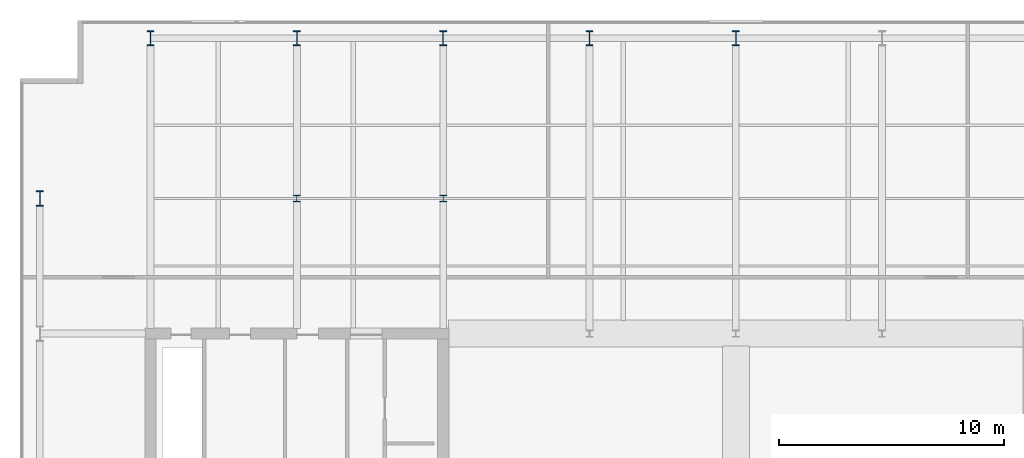
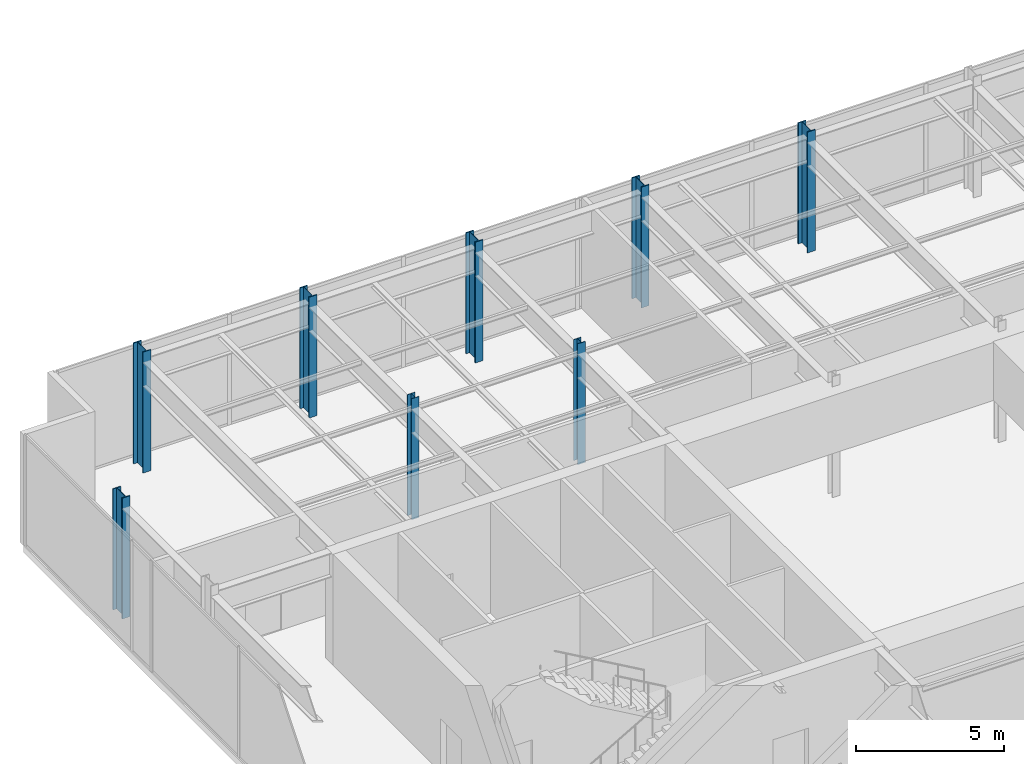
# One storey, part 3 of 21: 8 columns.
"""IFC4 building model written with IfcOpenShell, lengths in metres."""

from ifc_helpers import new_model, si_unit, direction, frame, origin, origin_2d, place, context, subcontext, project, spatial, i_section, extrude, material, material_profile, profile_set, type_object, element, save


model = new_model("IFC4")

# Units and contexts
model_context = context("Model", 3, precision=1e-05, world=origin(), true_north=direction((0.0, 1.0)))
body_context = subcontext(model_context, "Body", "Model", "MODEL_VIEW")
ifc_project = project(units=[si_unit("LENGTHUNIT", "METRE"), si_unit("AREAUNIT", "SQUARE_METRE"), si_unit("VOLUMEUNIT", "CUBIC_METRE"), si_unit("PLANEANGLEUNIT", "RADIAN"), si_unit("MASSUNIT", "GRAM", prefix="KILO")], contexts=[model_context])

# Site, building, storey
site_placement = place(None, origin())
site = spatial("IfcSite", under=ifc_project, at=site_placement, CompositionType="ELEMENT")
building_placement = place(site_placement, origin())
building = spatial("IfcBuilding", under=site, at=building_placement, Name="Putna Gate Headquarters", CompositionType="ELEMENT")
storey_placement = place(building_placement, frame((0.0, 0.0, 315.39990234375)))
storey = spatial("IfcBuildingStorey", under=building, at=storey_placement, Name="L79", CompositionType="ELEMENT", Elevation=315.39990234375)

# Columns
ifc_material = material(Name="Steel S460M", Category="steel")
ifc_material_profile_1 = material_profile(ifc_material, i_section(OverallWidth=0.300048828125, OverallDepth=0.300048828125, WebThickness=0.010986328125, FlangeThickness=0.01904296875, at=origin_2d()), Name="Steel S460M")
ifc_profile_set_1 = profile_set([ifc_material_profile_1], Name="Steel S460M")
column_type_1 = type_object("IfcColumnType", Name="COL-STL-HEB300-CRN", PredefinedType="COLUMN", material=ifc_profile_set_1)
for number, where, z_axis, x_axis, name in (
    (1, (19.5, 39.0, 0.0), (0.0, 0.0, 1.0), (1.0, 0.0, 0.0), "L79 Column CSI-WN"),
    (2, (26.0, 39.0, 0.0), (0.0, 0.0, 1.0), (1.0, 0.0, 0.0), "L79 Column CAP-WN"),
):
    element("IfcColumn", number, at=place(storey_placement, frame(where, z_axis=z_axis, x_axis=x_axis)), inside=storey, type_object=column_type_1, Name=name, PredefinedType="COLUMN", context=body_context, shape_type="SweptSolid", body=[
        extrude(i_section(OverallWidth=0.300048828125, OverallDepth=0.300048828125, WebThickness=0.010986328125, FlangeThickness=0.01904296875, at=origin_2d()), origin(), (0.0, 0.0, 1.0), 5.0),
    ])
ifc_material_profile_2 = material_profile(ifc_material, i_section(OverallWidth=0.304931640625, OverallDepth=0.66796875, WebThickness=0.02099609375, FlangeThickness=0.0400390625, at=origin_2d()), Name="Steel S460M")
ifc_profile_set_2 = profile_set([ifc_material_profile_2], Name="Steel S460M")
column_type_2 = type_object("IfcColumnType", Name="COL-STL-HEM650-EXT", PredefinedType="COLUMN", material=ifc_profile_set_2)
for number, where, z_axis, x_axis, name in (
    (3, (13.0, 46.1201171875, 0.0), (0.0, 0.0, 1.0), (1.0, 0.0, 0.0), "L79 Column CP-N13"),
    (4, (19.5, 46.1201171875, 0.0), (0.0, 0.0, 1.0), (1.0, 0.0, 0.0), "L79 Column CP-N19"),
    (5, (26.0, 46.1201171875, 0.0), (0.0, 0.0, 1.0), (1.0, 0.0, 0.0), "L79 Column CP-N26"),
    (6, (32.5, 46.1201171875, 0.0), (0.0, 0.0, 1.0), (1.0, 0.0, 0.0), "L79 Column CP-N32"),
    (7, (39.0, 46.1201171875, 0.0), (0.0, 0.0, 1.0), (1.0, 0.0, 0.0), "L79 Column CP-N39"),
    (8, (8.080078125, 39.0, 0.0), (0.0, 0.0, 1.0), (1.0, 0.0, 0.0), "L79 Column CP-W39"),
):
    element("IfcColumn", number, at=place(storey_placement, frame(where, z_axis=z_axis, x_axis=x_axis)), inside=storey, type_object=column_type_2, Name=name, PredefinedType="COLUMN", context=body_context, shape_type="SweptSolid", body=[
        extrude(i_section(OverallWidth=0.304931640625, OverallDepth=0.66796875, WebThickness=0.02099609375, FlangeThickness=0.0400390625, at=origin_2d()), origin(), (0.0, 0.0, 1.0), 5.0),
    ])

save(model, "model.ifc")
